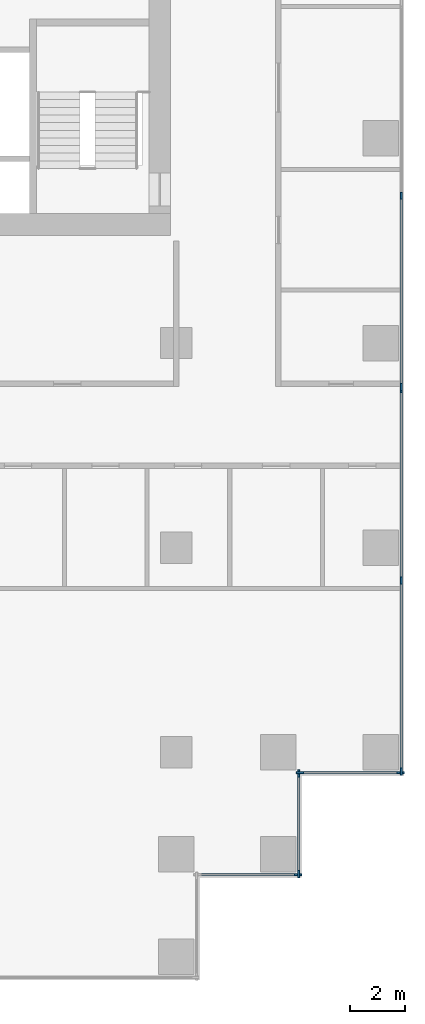
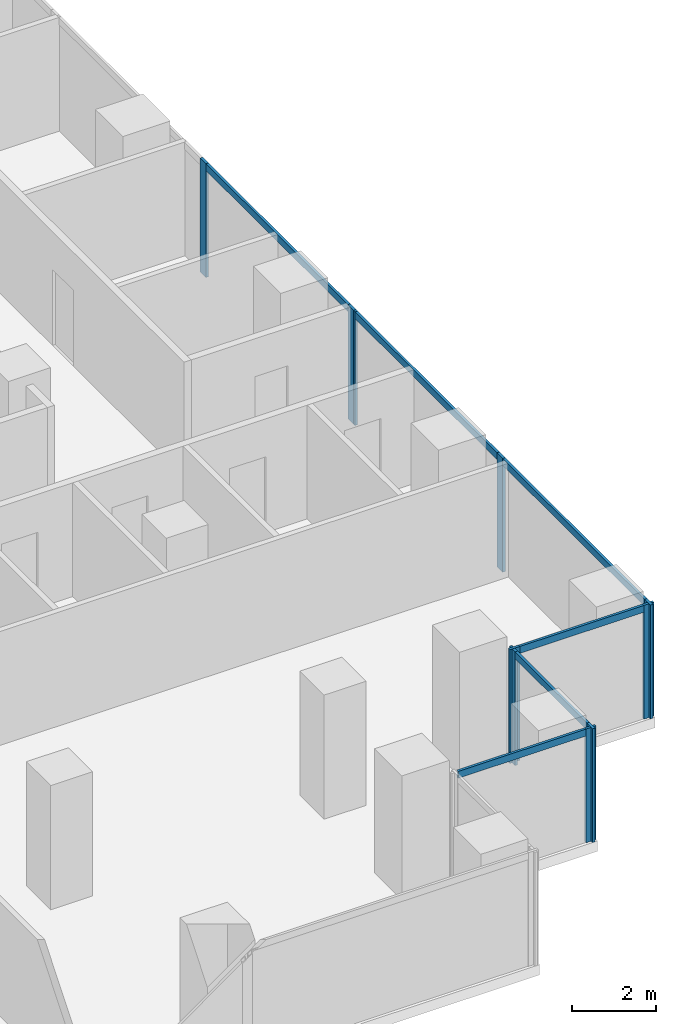
# One storey, part 3 of 10: 16 members, 5 elements without a shape of their own.
"""IFC4 building model written with IfcOpenShell, lengths in metres."""

import ifcopenshell
import ifcopenshell.guid

model = None  # the IFC model being written
_history = None  # IfcOwnerHistory: only IFC2X3 demands one
_inside = {}  # id of a spatial element -> (the spatial element, [elements in it])
_under = {}  # id of a project, library or spatial element -> (it, [spatial elements below it])
_declared = {}  # id of a project -> (the project, [libraries it declares])
_typed = {}  # id of a type object -> (the type object, [elements of that type])
_made_of = {}  # id of a material, layer set ... -> (it, [elements and type objects made of it])


def new_model(schema):
    """Start an empty IFC model of exactly this schema.

    Asked for "IFC4X3", IfcOpenShell would pick the latest addendum, in which some entities
    have other attributes; the version numbers below select the first issue.
    IFC2X3 requires an IfcOwnerHistory on every rooted entity: one is made here for all.
    """
    global model, _history
    if schema == "IFC4X3":
        model = ifcopenshell.file(schema_version=(4, 3, 0, 0))
    else:
        model = ifcopenshell.file(schema=schema)
    _inside.clear()
    _under.clear()
    _declared.clear()
    _typed.clear()
    _made_of.clear()
    _history = None
    if model.schema == "IFC2X3":
        org = make("IfcOrganization", Name="unknown")
        user = make(
            "IfcPersonAndOrganization",
            ThePerson=make("IfcPerson", FamilyName="unknown"),
            TheOrganization=org,
        )
        app = make(
            "IfcApplication",
            ApplicationDeveloper=org,
            Version="unknown",
            ApplicationFullName="unknown",
            ApplicationIdentifier="unknown",
        )
        _history = make(
            "IfcOwnerHistory",
            OwningUser=user,
            OwningApplication=app,
            ChangeAction="ADDED",
            CreationDate=0,
        )
    return model


def make(cls, **values):
    """One entity of the class cls with the attributes given. An attribute that is None is left unset."""
    return model.create_entity(
        cls, **{name: value for name, value in values.items() if value is not None}
    )


def rooted(cls, **values):
    """An entity with a GlobalId (a new one), such as an element, a storey or a relation."""
    return make(cls, GlobalId=ifcopenshell.guid.new(), OwnerHistory=_history, **values)


def si_unit(unit_type, name, prefix=None):
    """IfcSIUnit, for example si_unit("LENGTHUNIT", "METRE", prefix="MILLI")."""
    return make("IfcSIUnit", UnitType=unit_type, Prefix=prefix, Name=name)


def assignment(units):
    """IfcUnitAssignment: the units of a project."""
    return None if units is None else make("IfcUnitAssignment", Units=units)


def point(xyz):
    """IfcCartesianPoint."""
    return None if xyz is None else make("IfcCartesianPoint", Coordinates=xyz)


def direction(xyz):
    """IfcDirection."""
    return None if xyz is None else make("IfcDirection", DirectionRatios=xyz)


def frame(location, z_axis=None, x_axis=None):
    """IfcAxis2Placement3D, a coordinate frame: its origin and axes. An axis left out is left unset."""
    return make(
        "IfcAxis2Placement3D",
        Location=point(location),
        Axis=direction(z_axis),
        RefDirection=direction(x_axis),
    )


def frame_2d(location, x_axis=None):
    """IfcAxis2Placement2D, a coordinate frame in the plane: its origin and x axis."""
    return make(
        "IfcAxis2Placement2D", Location=point(location), RefDirection=direction(x_axis)
    )


def origin():
    """The frame at (0, 0, 0) with its axes left unset."""
    return frame((0.0, 0.0, 0.0))


def origin_2d():
    """The frame at (0, 0) in the plane with its x axis left unset."""
    return frame_2d((0.0, 0.0))


def place(relative_to, where):
    """IfcLocalPlacement: puts the frame where relative to a parent placement (None: the world)."""
    return make(
        "IfcLocalPlacement", PlacementRelTo=relative_to, RelativePlacement=where
    )


def context(
    kind, dimensions, precision=None, world=None, true_north=None, identifier=None
):
    """IfcGeometricRepresentationContext, for example the 3D "Model" context."""
    return make(
        "IfcGeometricRepresentationContext",
        ContextIdentifier=identifier,
        ContextType=kind,
        CoordinateSpaceDimension=dimensions,
        Precision=precision,
        WorldCoordinateSystem=world,
        TrueNorth=true_north,
    )


def subcontext(parent, identifier, kind, view, scale=None):
    """IfcGeometricRepresentationSubContext, for example "Body" below "Model"."""
    return make(
        "IfcGeometricRepresentationSubContext",
        ContextIdentifier=identifier,
        ContextType=kind,
        ParentContext=parent,
        TargetScale=scale,
        TargetView=view,
    )


def project(units=None, contexts=None):
    """IfcProject with its units and contexts."""
    return rooted(
        "IfcProject",
        Name="project",
        RepresentationContexts=contexts,
        UnitsInContext=assignment(units),
    )


def spatial(cls, under=None, at=None, **own):
    """A site, building, storey or space (cls), placed at a placement, below another one or the project."""
    s = rooted(cls, ObjectPlacement=at, **own)
    if under is not None:
        _under.setdefault(under.id(), (under, []))[1].append(s)
    return s


def profile(cls, at=None, kind="AREA", **sizes):
    """A parametric profile (cls). Its sizes go by their IFC names, for example OverallWidth=200.0."""
    return make(cls, ProfileType=kind, Position=at, **sizes)


def rectangle(**sizes):
    """IfcRectangleProfileDef."""
    return profile("IfcRectangleProfileDef", **sizes)


def extrude(swept, where, along, depth):
    """IfcExtrudedAreaSolid: the profile swept, set in the frame where, extruded along a direction by depth."""
    return make(
        "IfcExtrudedAreaSolid",
        SweptArea=swept,
        Position=where,
        ExtrudedDirection=direction(along),
        Depth=depth,
    )


def shape(context_of_items, identifier, shape_type, items):
    """IfcShapeRepresentation: the items that make up one representation, for example the "Body"."""
    return make(
        "IfcShapeRepresentation",
        ContextOfItems=context_of_items,
        RepresentationIdentifier=identifier,
        RepresentationType=shape_type,
        Items=items,
    )


def material(Name=None, Category=None):
    """IfcMaterial."""
    return make("IfcMaterial", Name=Name, Category=Category)


def material_profile(
    of_material, cross_section, Name=None, Category=None, Priority=None
):
    """IfcMaterialProfile: a cross section and its material."""
    return make(
        "IfcMaterialProfile",
        Name=Name,
        Material=of_material,
        Profile=cross_section,
        Priority=Priority,
        Category=Category,
    )


def profile_set(profiles, Name=None, composite=None):
    """IfcMaterialProfileSet."""
    return make(
        "IfcMaterialProfileSet",
        Name=Name,
        MaterialProfiles=profiles,
        CompositeProfile=composite,
    )


def made_of(thing, what):
    """Note that an element or type object is made of a material, layer set ...; save() writes the relation."""
    if what is not None:
        _made_of.setdefault(what.id(), (what, []))[1].append(thing)
    return thing


def type_object(cls, material=None, **own):
    """A type object (cls), such as IfcWallType, which elements share."""
    return made_of(rooted(cls, **own), material)


def element(
    cls,
    number,
    at=None,
    inside=None,
    cuts=None,
    type_object=None,
    material=None,
    context=None,
    identifier="Body",
    shape_type=None,
    held_by="IfcProductDefinitionShape",
    body=None,
    shapes=None,
    **own,
):
    """One element of the class cls, such as IfcWall. Its Tag is "e" and its number.

    at: its placement. inside: the storey or other place that contains it. cuts: it is an
    opening in that element (IfcRelVoidsElement). A single representation is given by context,
    identifier, shape_type and body (its items); several are given by shapes. held_by: the class
    of the entity that holds the representations. save() writes the other relations.
    """
    e = rooted(cls, Tag="e%d" % number, ObjectPlacement=at, **own)
    if body is not None:
        shapes = [shape(context, identifier, shape_type, body)]
    if shapes is not None:
        e.Representation = make(held_by, Representations=shapes)
    if inside is not None:
        _inside.setdefault(inside.id(), (inside, []))[1].append(e)
    if cuts is not None:
        rooted(
            "IfcRelVoidsElement", RelatingBuildingElement=cuts, RelatedOpeningElement=e
        )
    if type_object is not None:
        _typed.setdefault(type_object.id(), (type_object, []))[1].append(e)
    return made_of(e, material)


def aggregate(whole, parts):
    """IfcRelAggregates: a whole, such as a stair, and the parts it consists of."""
    return rooted("IfcRelAggregates", RelatingObject=whole, RelatedObjects=parts)


def save(model, path):
    """Write the relations noted so far, then the file.

    IfcRelAggregates (storeys below a building ...), IfcRelContainedInSpatialStructure (elements
    in a storey), IfcRelDefinesByType, IfcRelAssociatesMaterial and IfcRelDeclares: one each for
    every whole, place, type object, material and project.
    """
    for whole, parts in _under.values():
        aggregate(whole, parts)
    for where, things in _inside.values():
        rooted(
            "IfcRelContainedInSpatialStructure",
            RelatedElements=things,
            RelatingStructure=where,
        )
    for kind, things in _typed.values():
        rooted("IfcRelDefinesByType", RelatedObjects=things, RelatingType=kind)
    for what, things in _made_of.values():
        rooted("IfcRelAssociatesMaterial", RelatedObjects=things, RelatingMaterial=what)
    for by, libraries in _declared.values():
        rooted("IfcRelDeclares", RelatingContext=by, RelatedDefinitions=libraries)
    model.write(path)


model = new_model("IFC4")

# Units and contexts
model_context = context("Model", 3, precision=1e-05, world=origin(), true_north=direction((0.0, 1.0)))
body_context = subcontext(model_context, "Body", "Model", "MODEL_VIEW")
ifc_project = project(units=[si_unit("LENGTHUNIT", "METRE"), si_unit("AREAUNIT", "SQUARE_METRE"), si_unit("VOLUMEUNIT", "CUBIC_METRE"), si_unit("PLANEANGLEUNIT", "RADIAN"), si_unit("MASSUNIT", "GRAM", prefix="KILO")], contexts=[model_context])

# Site, building, storey
site_placement = place(None, origin())
site = spatial("IfcSite", under=ifc_project, at=site_placement, CompositionType="ELEMENT")
building_placement = place(site_placement, origin())
building = spatial("IfcBuilding", under=site, at=building_placement, Name="Pilkhan Gate Tower", CompositionType="ELEMENT")
storey_placement = place(building_placement, frame((0.0, 0.0, 107.199951171875)))
storey = spatial("IfcBuildingStorey", under=building, at=storey_placement, Name="L26", CompositionType="ELEMENT", Elevation=107.199951171875)

# Curtain wall, members
ifc_material_1 = material(Name="Pale anodised aluminium, clear low-iron double glazing", Category="aluminium")
curtain_wall_type = type_object("IfcCurtainWallType", Name="Office unitised curtain wall CW-O1", PredefinedType="USERDEFINED", material=ifc_material_1)
curtain_wall_1_placement = place(storey_placement, origin())
curtain_wall_1 = element("IfcCurtainWall", 1, at=curtain_wall_1_placement, inside=storey, type_object=curtain_wall_type, Name="Office unitised curtain wall CW-O1 L26 E", ObjectType="UNITISED CURTAIN WALL", PredefinedType="USERDEFINED")
ifc_material_2 = material(Name="Pale anodised aluminium", Category="aluminium")
ifc_material_profile_1 = material_profile(ifc_material_2, rectangle(XDim=0.070068359375, YDim=0.27490234375, at=origin_2d()), Name="Mullion 275x70")
ifc_profile_set_1 = profile_set([ifc_material_profile_1], Name="Pale anodised aluminium")
member_type_1 = type_object("IfcMemberType", Name="Mullion CW-O1 275x70", PredefinedType="MULLION", material=ifc_profile_set_1)
member_1_placement = place(storey_placement, frame((98.25, 51.784912109375, 0.0), z_axis=(0.0, 0.0, 1.0), x_axis=(-1.0, 0.0, 0.0)))
member_1 = element("IfcMember", 2, at=member_1_placement, type_object=member_type_1, Name="CW-O1 mullion 1", PredefinedType="MULLION", context=body_context, shape_type="SweptSolid", body=[
    extrude(rectangle(XDim=0.070068359375, YDim=0.27490234375, at=origin_2d()), origin(), (0.0, 0.0, 1.0), 3.300048828125),
])
member_2_placement = place(storey_placement, frame((98.25, 58.800048828125, 0.0), z_axis=(0.0, 0.0, 1.0), x_axis=(-1.0, 0.0, 0.0)))
member_2 = element("IfcMember", 3, at=member_2_placement, type_object=member_type_1, Name="CW-O1 mullion 2", PredefinedType="MULLION", context=body_context, shape_type="SweptSolid", body=[
    extrude(rectangle(XDim=0.070068359375, YDim=0.27490234375, at=origin_2d()), origin(), (0.0, 0.0, 1.0), 3.300048828125),
])
member_3_placement = place(storey_placement, frame((98.25, 65.81494140625, 0.0), z_axis=(0.0, 0.0, 1.0), x_axis=(-1.0, 0.0, 0.0)))
member_3 = element("IfcMember", 4, at=member_3_placement, type_object=member_type_1, Name="CW-O1 mullion 3", PredefinedType="MULLION", context=body_context, shape_type="SweptSolid", body=[
    extrude(rectangle(XDim=0.070068359375, YDim=0.27490234375, at=origin_2d()), origin(), (0.0, 0.0, 1.0), 3.300048828125),
])

curtain_wall_2_placement = place(storey_placement, origin())
curtain_wall_2 = element("IfcCurtainWall", 5, at=curtain_wall_2_placement, inside=storey, type_object=curtain_wall_type, Name="Office unitised curtain wall CW-O1 L26 E", ObjectType="UNITISED CURTAIN WALL", PredefinedType="USERDEFINED")
member_4_placement = place(storey_placement, frame((98.25, 65.885009765625, 0.0), z_axis=(0.0, 0.0, 1.0), x_axis=(-1.0, 0.0, 0.0)))
member_4 = element("IfcMember", 6, at=member_4_placement, type_object=member_type_1, Name="CW-O1 mullion 1", PredefinedType="MULLION", context=body_context, shape_type="SweptSolid", body=[
    extrude(rectangle(XDim=0.070068359375, YDim=0.27490234375, at=origin_2d()), origin(), (0.0, 0.0, 1.0), 3.300048828125),
])
member_5_placement = place(storey_placement, frame((98.25, 72.89990234375, 0.0), z_axis=(0.0, 0.0, 1.0), x_axis=(-1.0, 0.0, 0.0)))
member_5 = element("IfcMember", 7, at=member_5_placement, type_object=member_type_1, Name="CW-O1 mullion 2", PredefinedType="MULLION", context=body_context, shape_type="SweptSolid", body=[
    extrude(rectangle(XDim=0.070068359375, YDim=0.27490234375, at=origin_2d()), origin(), (0.0, 0.0, 1.0), 3.300048828125),
])

# Curtain wall, member
curtain_wall_3_placement = place(storey_placement, origin())
curtain_wall_3 = element("IfcCurtainWall", 8, at=curtain_wall_3_placement, inside=storey, type_object=curtain_wall_type, Name="Office unitised curtain wall CW-O1 L26 S", ObjectType="UNITISED CURTAIN WALL", PredefinedType="USERDEFINED")
member_6_placement = place(storey_placement, frame((94.465087890625, 48.0, 0.0), z_axis=(0.0, 0.0, 1.0), x_axis=(0.0, 1.0, 0.0)))
member_6 = element("IfcMember", 9, at=member_6_placement, type_object=member_type_1, Name="CW-O1 mullion 2", PredefinedType="MULLION", context=body_context, shape_type="SweptSolid", body=[
    extrude(rectangle(XDim=0.070068359375, YDim=0.27490234375, at=origin_2d()), origin(), (0.0, 0.0, 1.0), 3.300048828125),
])

# Curtain wall, members
curtain_wall_4_placement = place(storey_placement, origin())
curtain_wall_4 = element("IfcCurtainWall", 10, at=curtain_wall_4_placement, inside=storey, type_object=curtain_wall_type, Name="Office unitised curtain wall CW-O1 L26 E", ObjectType="UNITISED CURTAIN WALL", PredefinedType="USERDEFINED")
member_7_placement = place(storey_placement, frame((94.5, 48.034912109375, 0.0), z_axis=(0.0, 0.0, 1.0), x_axis=(-1.0, 0.0, 0.0)))
member_7 = element("IfcMember", 11, at=member_7_placement, type_object=member_type_1, Name="CW-O1 mullion 1", PredefinedType="MULLION", context=body_context, shape_type="SweptSolid", body=[
    extrude(rectangle(XDim=0.070068359375, YDim=0.27490234375, at=origin_2d()), origin(), (0.0, 0.0, 1.0), 3.300048828125),
])
member_8_placement = place(storey_placement, frame((94.5, 51.715087890625, 0.0), z_axis=(0.0, 0.0, 1.0), x_axis=(-1.0, 0.0, 0.0)))
member_8 = element("IfcMember", 12, at=member_8_placement, type_object=member_type_1, Name="CW-O1 mullion 2", PredefinedType="MULLION", context=body_context, shape_type="SweptSolid", body=[
    extrude(rectangle(XDim=0.070068359375, YDim=0.27490234375, at=origin_2d()), origin(), (0.0, 0.0, 1.0), 3.300048828125),
])

curtain_wall_5_placement = place(storey_placement, origin())
curtain_wall_5 = element("IfcCurtainWall", 13, at=curtain_wall_5_placement, inside=storey, type_object=curtain_wall_type, Name="Office unitised curtain wall CW-O1 L26 S", ObjectType="UNITISED CURTAIN WALL", PredefinedType="USERDEFINED")
member_9_placement = place(storey_placement, frame((94.534912109375, 51.75, 0.0), z_axis=(0.0, 0.0, 1.0), x_axis=(0.0, 1.0, 0.0)))
member_9 = element("IfcMember", 14, at=member_9_placement, type_object=member_type_1, Name="CW-O1 mullion 1", PredefinedType="MULLION", context=body_context, shape_type="SweptSolid", body=[
    extrude(rectangle(XDim=0.070068359375, YDim=0.27490234375, at=origin_2d()), origin(), (0.0, 0.0, 1.0), 3.300048828125),
])
member_10_placement = place(storey_placement, frame((98.215087890625, 51.75, 0.0), z_axis=(0.0, 0.0, 1.0), x_axis=(0.0, 1.0, 0.0)))
member_10 = element("IfcMember", 15, at=member_10_placement, type_object=member_type_1, Name="CW-O1 mullion 2", PredefinedType="MULLION", context=body_context, shape_type="SweptSolid", body=[
    extrude(rectangle(XDim=0.070068359375, YDim=0.27490234375, at=origin_2d()), origin(), (0.0, 0.0, 1.0), 3.300048828125),
])

# Member
ifc_material_profile_2 = material_profile(ifc_material_2, rectangle(XDim=0.070068359375, YDim=0.199951171875, at=origin_2d()), Name="Transom 200x70")
ifc_profile_set_2 = profile_set([ifc_material_profile_2], Name="Pale anodised aluminium")
member_type_2 = type_object("IfcMemberType", Name="Transom CW-O1 200x70", PredefinedType="USERDEFINED", material=ifc_profile_set_2)
member_11_placement = place(storey_placement, frame((98.25, 51.820068359375, 3.199951171875), z_axis=(0.0, 1.0, 0.0), x_axis=(-1.0, 0.0, 0.0)))
member_11 = element("IfcMember", 16, at=member_11_placement, type_object=member_type_2, Name="CW-O1 transom 1", ObjectType="TRANSOM", PredefinedType="USERDEFINED", context=body_context, shape_type="SweptSolid", body=[
    extrude(rectangle(XDim=0.070068359375, YDim=0.199951171875, at=origin_2d()), origin(), (0.0, 0.0, 1.0), 6.94482421875),
])

member_12_placement = place(storey_placement, frame((98.25, 58.8349609375, 3.199951171875), z_axis=(0.0, 1.0, 0.0), x_axis=(-1.0, 0.0, 0.0)))
member_12 = element("IfcMember", 17, at=member_12_placement, type_object=member_type_2, Name="CW-O1 transom 2", ObjectType="TRANSOM", PredefinedType="USERDEFINED", context=body_context, shape_type="SweptSolid", body=[
    extrude(rectangle(XDim=0.070068359375, YDim=0.199951171875, at=origin_2d()), origin(), (0.0, 0.0, 1.0), 6.945068359375),
])

aggregate(curtain_wall_1, [member_1, member_2, member_3, member_11, member_12])

member_13_placement = place(storey_placement, frame((98.25, 65.919921875, 3.199951171875), z_axis=(0.0, 1.0, 0.0), x_axis=(-1.0, 0.0, 0.0)))
member_13 = element("IfcMember", 18, at=member_13_placement, type_object=member_type_2, Name="CW-O1 transom 1", ObjectType="TRANSOM", PredefinedType="USERDEFINED", context=body_context, shape_type="SweptSolid", body=[
    extrude(rectangle(XDim=0.070068359375, YDim=0.199951171875, at=origin_2d()), origin(), (0.0, 0.0, 1.0), 6.945068359375),
])

aggregate(curtain_wall_2, [member_4, member_5, member_13])

member_14_placement = place(storey_placement, frame((90.820068359375, 48.0, 3.199951171875), z_axis=(1.0, 0.0, 0.0), x_axis=(0.0, 1.0, 0.0)))
member_14 = element("IfcMember", 19, at=member_14_placement, type_object=member_type_2, Name="CW-O1 transom 1", ObjectType="TRANSOM", PredefinedType="USERDEFINED", context=body_context, shape_type="SweptSolid", body=[
    extrude(rectangle(XDim=0.070068359375, YDim=0.199951171875, at=origin_2d()), origin(), (0.0, 0.0, 1.0), 3.60986328125),
])

aggregate(curtain_wall_3, [member_6, member_14])

member_15_placement = place(storey_placement, frame((94.5, 48.070068359375, 3.199951171875), z_axis=(0.0, 1.0, 0.0), x_axis=(-1.0, 0.0, 0.0)))
member_15 = element("IfcMember", 20, at=member_15_placement, type_object=member_type_2, Name="CW-O1 transom 1", ObjectType="TRANSOM", PredefinedType="USERDEFINED", context=body_context, shape_type="SweptSolid", body=[
    extrude(rectangle(XDim=0.070068359375, YDim=0.199951171875, at=origin_2d()), origin(), (0.0, 0.0, 1.0), 3.60986328125),
])

aggregate(curtain_wall_4, [member_7, member_8, member_15])

member_16_placement = place(storey_placement, frame((94.570068359375, 51.75, 3.199951171875), z_axis=(1.0, 0.0, 0.0), x_axis=(0.0, 1.0, 0.0)))
member_16 = element("IfcMember", 21, at=member_16_placement, type_object=member_type_2, Name="CW-O1 transom 1", ObjectType="TRANSOM", PredefinedType="USERDEFINED", context=body_context, shape_type="SweptSolid", body=[
    extrude(rectangle(XDim=0.070068359375, YDim=0.199951171875, at=origin_2d()), origin(), (0.0, 0.0, 1.0), 3.60986328125),
])

aggregate(curtain_wall_5, [member_9, member_10, member_16])

save(model, "model.ifc")
